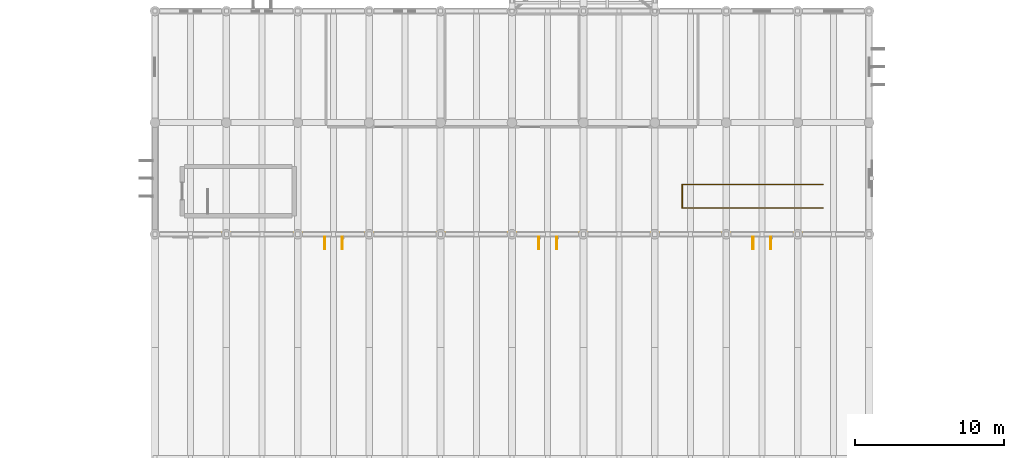
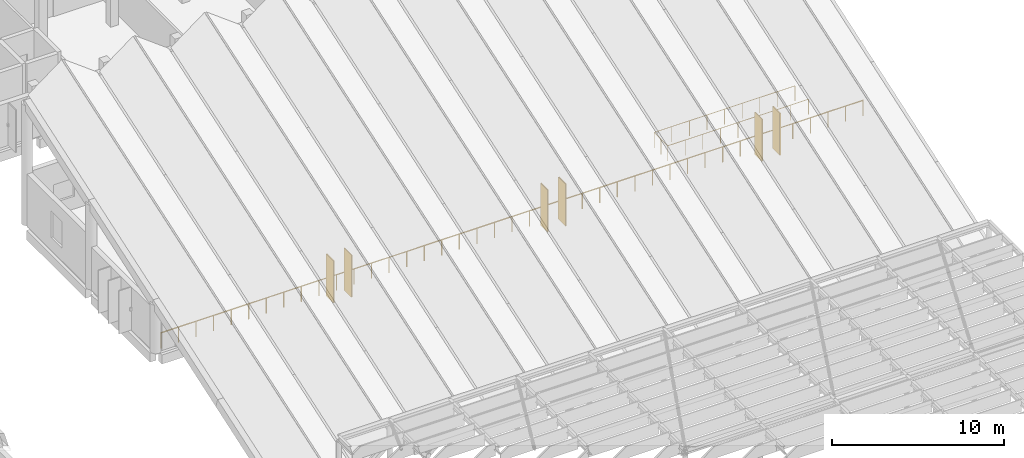
# One storey, part 42 of 47: 6 shading devices, 2 railings.
"""IFC4 building model written with IfcOpenShell, lengths in metres."""

from ifc_helpers import new_model, si_unit, direction, frame, origin, origin_2d, place, context, subcontext, project, spatial, hollow_rectangle, circle, extrude, material, material_profile, profile_set, type_object, element, save


model = new_model("IFC4")

# Units and contexts
model_context = context("Model", 3, precision=1e-05, world=origin(), true_north=direction((0.0, 1.0)))
body_context = subcontext(model_context, "Body", "Model", "MODEL_VIEW")
ifc_project = project(units=[si_unit("LENGTHUNIT", "METRE"), si_unit("AREAUNIT", "SQUARE_METRE"), si_unit("VOLUMEUNIT", "CUBIC_METRE"), si_unit("PLANEANGLEUNIT", "RADIAN"), si_unit("MASSUNIT", "GRAM", prefix="KILO")], contexts=[model_context])

# Site, building, storey
site_placement = place(None, origin())
site = spatial("IfcSite", under=ifc_project, at=site_placement, CompositionType="ELEMENT")
building_placement = place(site_placement, origin())
building = spatial("IfcBuilding", under=site, at=building_placement, Name="Mawjan Specialist Oncology Clinic", CompositionType="ELEMENT")
storey_placement = place(building_placement, frame((0.0, 0.0, 9.5)))
storey = spatial("IfcBuildingStorey", under=building, at=storey_placement, Name="L02", CompositionType="ELEMENT", Elevation=9.5)

# Railings
ifc_material_1 = material(Name="Laminated glass and stainless-steel balustrade", Category="steel")
railing_type_1 = type_object("IfcRailingType", Name="BL-110", PredefinedType="BALUSTRADE", material=ifc_material_1)
railing_1_placement = place(storey_placement, frame((60.39990234375, 60.8798828125, 0.0)))
element("IfcRailing", 1, at=railing_1_placement, inside=storey, type_object=railing_type_1, Name="L02 Infusion Gallery South Edge Balustrade", PredefinedType="BALUSTRADE", context=body_context, shape_type="SweptSolid", body=[
    extrude(circle(Radius=0.02392578125, at=origin_2d()), frame((0.0, 0.0, 1.076171875), z_axis=(1.0, 0.0, 0.0), x_axis=(0.0, 1.0, 0.0)), (0.0, 0.0, 1.0), 47.2001953125),
    extrude(circle(Radius=0.02099609375, at=origin_2d()), origin(), (0.0, 0.0, 1.0), 1.052001953125),
    extrude(circle(Radius=0.02099609375, at=origin_2d()), frame((1.179931640625, 0.0, 0.0)), (0.0, 0.0, 1.0), 1.052001953125),
    extrude(circle(Radius=0.02099609375, at=origin_2d()), frame((2.360107421875, 0.0, 0.0)), (0.0, 0.0, 1.0), 1.052001953125),
    extrude(circle(Radius=0.02099609375, at=origin_2d()), frame((3.5400390625, 0.0, 0.0)), (0.0, 0.0, 1.0), 1.052001953125),
    extrude(circle(Radius=0.02099609375, at=origin_2d()), frame((4.719970703125, 0.0, 0.0)), (0.0, 0.0, 1.0), 1.052001953125),
    extrude(circle(Radius=0.02099609375, at=origin_2d()), frame((5.89990234375, 0.0, 0.0)), (0.0, 0.0, 1.0), 1.052001953125),
    extrude(circle(Radius=0.02099609375, at=origin_2d()), frame((7.080078125, 0.0, 0.0)), (0.0, 0.0, 1.0), 1.052001953125),
    extrude(circle(Radius=0.02099609375, at=origin_2d()), frame((8.260009765625, 0.0, 0.0)), (0.0, 0.0, 1.0), 1.052001953125),
    extrude(circle(Radius=0.02099609375, at=origin_2d()), frame((9.43994140625, 0.0, 0.0)), (0.0, 0.0, 1.0), 1.052001953125),
    extrude(circle(Radius=0.02099609375, at=origin_2d()), frame((10.6201171875, 0.0, 0.0)), (0.0, 0.0, 1.0), 1.052001953125),
    extrude(circle(Radius=0.02099609375, at=origin_2d()), frame((11.800048828125, 0.0, 0.0)), (0.0, 0.0, 1.0), 1.052001953125),
    extrude(circle(Radius=0.02099609375, at=origin_2d()), frame((12.97998046875, 0.0, 0.0)), (0.0, 0.0, 1.0), 1.052001953125),
    extrude(circle(Radius=0.02099609375, at=origin_2d()), frame((14.16015625, 0.0, 0.0)), (0.0, 0.0, 1.0), 1.052001953125),
    extrude(circle(Radius=0.02099609375, at=origin_2d()), frame((15.340087890625, 0.0, 0.0)), (0.0, 0.0, 1.0), 1.052001953125),
    extrude(circle(Radius=0.02099609375, at=origin_2d()), frame((16.52001953125, 0.0, 0.0)), (0.0, 0.0, 1.0), 1.052001953125),
    extrude(circle(Radius=0.02099609375, at=origin_2d()), frame((17.7001953125, 0.0, 0.0)), (0.0, 0.0, 1.0), 1.052001953125),
    extrude(circle(Radius=0.02099609375, at=origin_2d()), frame((18.880126953125, 0.0, 0.0)), (0.0, 0.0, 1.0), 1.052001953125),
    extrude(circle(Radius=0.02099609375, at=origin_2d()), frame((20.06005859375, 0.0, 0.0)), (0.0, 0.0, 1.0), 1.052001953125),
    extrude(circle(Radius=0.02099609375, at=origin_2d()), frame((21.239990234375, 0.0, 0.0)), (0.0, 0.0, 1.0), 1.052001953125),
    extrude(circle(Radius=0.02099609375, at=origin_2d()), frame((22.420166015625, 0.0, 0.0)), (0.0, 0.0, 1.0), 1.052001953125),
    extrude(circle(Radius=0.02099609375, at=origin_2d()), frame((23.60009765625, 0.0, 0.0)), (0.0, 0.0, 1.0), 1.052001953125),
    extrude(circle(Radius=0.02099609375, at=origin_2d()), frame((24.780029296875, 0.0, 0.0)), (0.0, 0.0, 1.0), 1.052001953125),
    extrude(circle(Radius=0.02099609375, at=origin_2d()), frame((25.960205078125, 0.0, 0.0)), (0.0, 0.0, 1.0), 1.052001953125),
    extrude(circle(Radius=0.02099609375, at=origin_2d()), frame((27.14013671875, 0.0, 0.0)), (0.0, 0.0, 1.0), 1.052001953125),
    extrude(circle(Radius=0.02099609375, at=origin_2d()), frame((28.320068359375, 0.0, 0.0)), (0.0, 0.0, 1.0), 1.052001953125),
    extrude(circle(Radius=0.02099609375, at=origin_2d()), frame((29.5, 0.0, 0.0)), (0.0, 0.0, 1.0), 1.052001953125),
    extrude(circle(Radius=0.02099609375, at=origin_2d()), frame((30.68017578125, 0.0, 0.0)), (0.0, 0.0, 1.0), 1.052001953125),
    extrude(circle(Radius=0.02099609375, at=origin_2d()), frame((31.860107421875, 0.0, 0.0)), (0.0, 0.0, 1.0), 1.052001953125),
    extrude(circle(Radius=0.02099609375, at=origin_2d()), frame((33.0400390625, 0.0, 0.0)), (0.0, 0.0, 1.0), 1.052001953125),
    extrude(circle(Radius=0.02099609375, at=origin_2d()), frame((34.22021484375, 0.0, 0.0)), (0.0, 0.0, 1.0), 1.052001953125),
    extrude(circle(Radius=0.02099609375, at=origin_2d()), frame((35.400146484375, 0.0, 0.0)), (0.0, 0.0, 1.0), 1.052001953125),
    extrude(circle(Radius=0.02099609375, at=origin_2d()), frame((36.580078125, 0.0, 0.0)), (0.0, 0.0, 1.0), 1.052001953125),
    extrude(circle(Radius=0.02099609375, at=origin_2d()), frame((37.76025390625, 0.0, 0.0)), (0.0, 0.0, 1.0), 1.052001953125),
    extrude(circle(Radius=0.02099609375, at=origin_2d()), frame((38.940185546875, 0.0, 0.0)), (0.0, 0.0, 1.0), 1.052001953125),
    extrude(circle(Radius=0.02099609375, at=origin_2d()), frame((40.1201171875, 0.0, 0.0)), (0.0, 0.0, 1.0), 1.052001953125),
    extrude(circle(Radius=0.02099609375, at=origin_2d()), frame((41.30029296875, 0.0, 0.0)), (0.0, 0.0, 1.0), 1.052001953125),
    extrude(circle(Radius=0.02099609375, at=origin_2d()), frame((42.480224609375, 0.0, 0.0)), (0.0, 0.0, 1.0), 1.052001953125),
    extrude(circle(Radius=0.02099609375, at=origin_2d()), frame((43.66015625, 0.0, 0.0)), (0.0, 0.0, 1.0), 1.052001953125),
    extrude(circle(Radius=0.02099609375, at=origin_2d()), frame((44.840087890625, 0.0, 0.0)), (0.0, 0.0, 1.0), 1.052001953125),
    extrude(circle(Radius=0.02099609375, at=origin_2d()), frame((46.020263671875, 0.0, 0.0)), (0.0, 0.0, 1.0), 1.052001953125),
    extrude(circle(Radius=0.02099609375, at=origin_2d()), frame((47.2001953125, 0.0, 0.0)), (0.0, 0.0, 1.0), 1.052001953125),
])
ifc_material_2 = material(Name="Powder-coated steel stair guard with vertical infill pickets", Category="steel")
railing_type_2 = type_object("IfcRailingType", Name="GR-110", PredefinedType="GUARDRAIL", material=ifc_material_2)
railing_2_placement = place(storey_placement, frame((104.89990234375, 64.135009765625, 0.0)))
element("IfcRailing", 2, at=railing_2_placement, inside=storey, type_object=railing_type_2, Name="ST-13 Well Perimeter Guard 1", PredefinedType="GUARDRAIL", context=body_context, shape_type="SweptSolid", body=[
    extrude(circle(Radius=0.02392578125, at=origin_2d()), frame((0.0, 0.0, 1.076171875), z_axis=(-1.0, 0.0, 0.0), x_axis=(0.0, -1.0, 0.0)), (0.0, 0.0, 1.0), 9.4599609375),
    extrude(circle(Radius=0.02392578125, at=origin_2d()), frame((-9.4599609375, 0.0, 1.076171875), z_axis=(0.0, -1.0, 0.0), x_axis=(1.0, 0.0, 0.0)), (0.0, 0.0, 1.0), 1.570068359375),
    extrude(circle(Radius=0.02392578125, at=origin_2d()), frame((-9.4599609375, -1.570068359375, 1.076171875), z_axis=(1.0, 0.0, 0.0), x_axis=(0.0, 1.0, 0.0)), (0.0, 0.0, 1.0), 9.4599609375),
    extrude(circle(Radius=0.02099609375, at=origin_2d()), origin(), (0.0, 0.0, 1.0), 1.052001953125),
    extrude(circle(Radius=0.02099609375, at=origin_2d()), frame((-1.1826171875, 0.0, 0.0)), (0.0, 0.0, 1.0), 1.052001953125),
    extrude(circle(Radius=0.02099609375, at=origin_2d()), frame((-2.364990234375, 0.0, 0.0)), (0.0, 0.0, 1.0), 1.052001953125),
    extrude(circle(Radius=0.02099609375, at=origin_2d()), frame((-3.54736328125, 0.0, 0.0)), (0.0, 0.0, 1.0), 1.052001953125),
    extrude(circle(Radius=0.02099609375, at=origin_2d()), frame((-4.72998046875, 0.0, 0.0)), (0.0, 0.0, 1.0), 1.052001953125),
    extrude(circle(Radius=0.02099609375, at=origin_2d()), frame((-5.91259765625, 0.0, 0.0)), (0.0, 0.0, 1.0), 1.052001953125),
    extrude(circle(Radius=0.02099609375, at=origin_2d()), frame((-7.094970703125, 0.0, 0.0)), (0.0, 0.0, 1.0), 1.052001953125),
    extrude(circle(Radius=0.02099609375, at=origin_2d()), frame((-8.27734375, 0.0, 0.0)), (0.0, 0.0, 1.0), 1.052001953125),
    extrude(circle(Radius=0.02099609375, at=origin_2d()), frame((-9.4599609375, 0.0, 0.0)), (0.0, 0.0, 1.0), 1.052001953125),
    extrude(circle(Radius=0.02099609375, at=origin_2d()), frame((-9.4599609375, -0.78515625, 0.0)), (0.0, 0.0, 1.0), 1.052001953125),
    extrude(circle(Radius=0.02099609375, at=origin_2d()), frame((-9.4599609375, -1.570068359375, 0.0)), (0.0, 0.0, 1.0), 1.052001953125),
    extrude(circle(Radius=0.02099609375, at=origin_2d()), frame((-8.27734375, -1.570068359375, 0.0)), (0.0, 0.0, 1.0), 1.052001953125),
    extrude(circle(Radius=0.02099609375, at=origin_2d()), frame((-7.094970703125, -1.570068359375, 0.0)), (0.0, 0.0, 1.0), 1.052001953125),
    extrude(circle(Radius=0.02099609375, at=origin_2d()), frame((-5.91259765625, -1.570068359375, 0.0)), (0.0, 0.0, 1.0), 1.052001953125),
    extrude(circle(Radius=0.02099609375, at=origin_2d()), frame((-4.72998046875, -1.570068359375, 0.0)), (0.0, 0.0, 1.0), 1.052001953125),
    extrude(circle(Radius=0.02099609375, at=origin_2d()), frame((-3.54736328125, -1.570068359375, 0.0)), (0.0, 0.0, 1.0), 1.052001953125),
    extrude(circle(Radius=0.02099609375, at=origin_2d()), frame((-2.364990234375, -1.570068359375, 0.0)), (0.0, 0.0, 1.0), 1.052001953125),
    extrude(circle(Radius=0.02099609375, at=origin_2d()), frame((-1.1826171875, -1.570068359375, 0.0)), (0.0, 0.0, 1.0), 1.052001953125),
    extrude(circle(Radius=0.02099609375, at=origin_2d()), frame((0.0, -1.570068359375, 0.0)), (0.0, 0.0, 1.0), 1.052001953125),
])

# Shading devices
ifc_material_3 = material(Name="Bronze-anodised aluminium 6063-T6", Category="aluminium")
ifc_material_profile = material_profile(ifc_material_3, hollow_rectangle(XDim=0.070068359375, YDim=0.85009765625, WallThickness=0.0048828125, at=origin_2d()), Name="FIN 850x70x5", Category="aluminium")
ifc_profile_set = profile_set([ifc_material_profile], Name="Bronze-anodised aluminium 6063-T6")
shading_device_type = type_object("IfcShadingDeviceType", Name="SF-850", PredefinedType="USERDEFINED", material=ifc_profile_set)
for number, where, z_axis, x_axis, name in (
    (3, (101.39990234375, 60.2099609375, 0.0), (0.0, 0.0, 1.0), (-1.0, 0.0, 0.0), "L02 Vertical Solar Fin SF-0047"),
    (4, (100.199951171875, 60.2099609375, 0.0), (0.0, 0.0, 1.0), (-1.0, 0.0, 0.0), "L02 Vertical Solar Fin SF-0048"),
    (5, (87.0, 60.2099609375, 0.0), (0.0, 0.0, 1.0), (-1.0, 0.0, 0.0), "L02 Vertical Solar Fin SF-0049"),
    (6, (85.800048828125, 60.2099609375, 0.0), (0.0, 0.0, 1.0), (-1.0, 0.0, 0.0), "L02 Vertical Solar Fin SF-0050"),
    (7, (72.60009765625, 60.2099609375, 0.0), (0.0, 0.0, 1.0), (-1.0, 0.0, 0.0), "L02 Vertical Solar Fin SF-0051"),
    (8, (71.39990234375, 60.2099609375, 0.0), (0.0, 0.0, 1.0), (-1.0, 0.0, 0.0), "L02 Vertical Solar Fin SF-0052"),
):
    element("IfcShadingDevice", number, at=place(storey_placement, frame(where, z_axis=z_axis, x_axis=x_axis)), inside=storey, type_object=shading_device_type, Name=name, ObjectType="SOLAR FIN", PredefinedType="USERDEFINED", context=body_context, shape_type="SweptSolid", body=[
        extrude(hollow_rectangle(XDim=0.070068359375, YDim=0.85009765625, WallThickness=0.0048828125, at=origin_2d()), origin(), (0.0, 0.0, 1.0), 2.994384765625),
    ])

save(model, "model.ifc")
